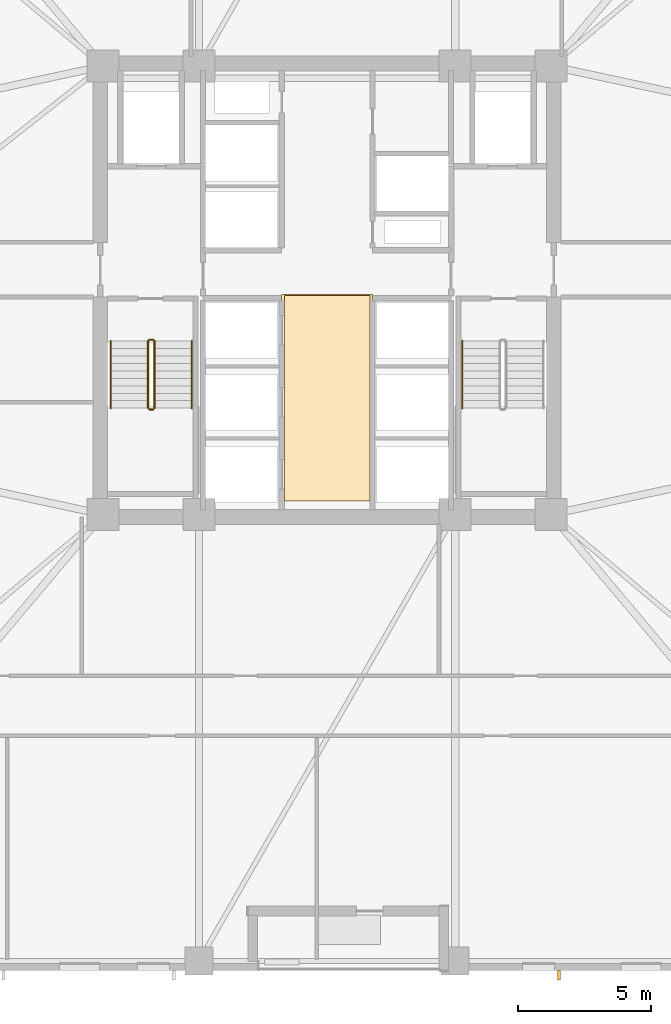
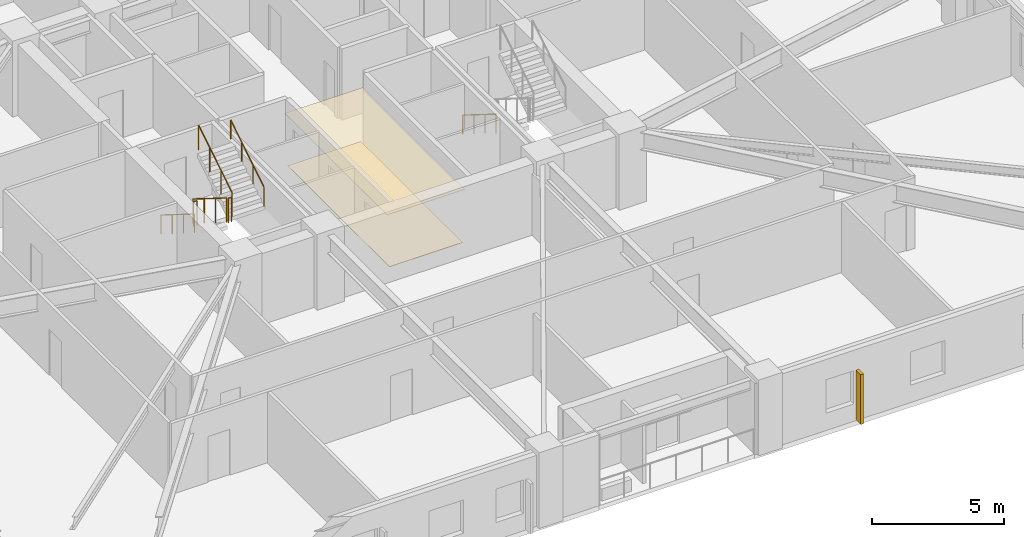
# One storey, part 8 of 11: 7 railings, 2 coverings, 1 shading device.
"""IFC4 building model written with IfcOpenShell, lengths in metres."""

from ifc_helpers import new_model, si_unit, direction, frame, origin, origin_2d, place, context, subcontext, project, spatial, polyline, rectangle, circle, outline, extrude, material, layer, layer_set, type_object, element, save


model = new_model("IFC4")

# Units and contexts
model_context = context("Model", 3, precision=1e-05, world=origin(), true_north=direction((0.0, 1.0)))
body_context = subcontext(model_context, "Body", "Model", "MODEL_VIEW")
ifc_project = project(units=[si_unit("LENGTHUNIT", "METRE"), si_unit("AREAUNIT", "SQUARE_METRE"), si_unit("VOLUMEUNIT", "CUBIC_METRE"), si_unit("PLANEANGLEUNIT", "RADIAN"), si_unit("MASSUNIT", "GRAM", prefix="KILO")], contexts=[model_context])

# Site, building, storey
site_placement = place(None, origin())
site = spatial("IfcSite", under=ifc_project, at=site_placement, CompositionType="ELEMENT")
building_placement = place(site_placement, origin())
building = spatial("IfcBuilding", under=site, at=building_placement, Name="Cairnveth Concourse Tower", CompositionType="ELEMENT")
storey_placement = place(building_placement, frame((0.0, 0.0, 41.0)))
storey = spatial("IfcBuildingStorey", under=building, at=storey_placement, Name="L10", CompositionType="ELEMENT", Elevation=41.0)

# Covering
ifc_material_1 = material(Name="Acoustic Mineral Fibre Ceiling", Category="gypsum")
ifc_layer_1 = layer(ifc_material_1, 0.02490234375)
ifc_layer_set_1 = layer_set([ifc_layer_1], Name="Acoustic Mineral Fibre Ceiling")
covering_type_1 = type_object("IfcCoveringType", Name="ACOUSTIC MINERAL FIBRE CEILING 25", PredefinedType="CEILING", material=ifc_layer_set_1)
covering_1_placement = place(storey_placement, frame((0.0, 0.0, 2.424072265625)))
element("IfcCovering", 1, at=covering_1_placement, inside=storey, type_object=covering_type_1, Name="Lift Lobby Acoustic Ceiling L10", PredefinedType="CEILING", context=body_context, shape_type="SweptSolid", body=[
    extrude(outline(polyline([(50.300048828125, 31.10009765625), (53.699951171875, 31.10009765625), (53.699951171875, 38.85009765625), (50.300048828125, 38.85009765625), (50.300048828125, 31.10009765625)])), origin(), (0.0, 0.0, 1.0), 0.02490234375),
])

# Shading device
ifc_material_2 = material(Name="Architectural Bronze Anodised Aluminium 6063-T6", Category="aluminium")
shading_device_type = type_object("IfcShadingDeviceType", Name="GOTHIC BRONZE VERTICAL LANCET FIN", PredefinedType="USERDEFINED", material=ifc_material_2)
shading_device_placement = place(storey_placement, frame((60.691650390625, 13.324951171875, 0.02978515625), z_axis=(0.0, 0.0, 1.0), x_axis=(1.0, 0.0, 0.0)))
element("IfcShadingDevice", 2, at=shading_device_placement, inside=storey, type_object=shading_device_type, Name="Gothic Bronze Vertical Fin L10-12-3", ObjectType="VERTICAL FIN", PredefinedType="USERDEFINED", context=body_context, shape_type="SweptSolid", body=[
    extrude(rectangle(XDim=0.1201171875, YDim=0.360107421875, at=origin_2d()), origin(), (0.0, 0.0, 1.0), 2.303955078125),
])

# Railings
ifc_material_3 = material(Name="Steel Grade 350", Category="steel")
railing_type_1 = type_object("IfcRailingType", Name="STAIR GUARDRAIL 1150", PredefinedType="GUARDRAIL", material=ifc_material_3)
railing_1_placement = place(storey_placement, frame((45.2900390625, 37.10009765625, 0.175048828125)))
element("IfcRailing", 3, at=railing_1_placement, inside=storey, type_object=railing_type_1, Name="L10 ST-1 stair guard 1", PredefinedType="GUARDRAIL", context=body_context, shape_type="SweptSolid", body=[
    extrude(circle(Radius=0.02392578125, at=origin_2d()), frame((0.0, 0.0, 1.1259765625), z_axis=(0.0, -0.848007534815, 0.529984170421), x_axis=(1.0, 0.0, 0.0)), (0.0, 0.0, 1.0), 2.9716796875),
    extrude(circle(Radius=0.02099609375, at=origin_2d()), origin(), (0.0, 0.0, 1.0), 1.101806640625),
    extrude(circle(Radius=0.02099609375, at=origin_2d()), frame((0.0, -0.840087890625, 0.52490234375)), (0.0, 0.0, 1.0), 1.101806640625),
    extrude(circle(Radius=0.02099609375, at=origin_2d()), frame((0.0, -1.679931640625, 1.050048828125)), (0.0, 0.0, 1.0), 1.101806640625),
    extrude(circle(Radius=0.02099609375, at=origin_2d()), frame((0.0, -2.52001953125, 1.574951171875)), (0.0, 0.0, 1.0), 1.101806640625),
])
railing_2_placement = place(storey_placement, frame((45.340087890625, 34.530029296875, 1.75)))
element("IfcRailing", 4, at=railing_2_placement, inside=storey, type_object=railing_type_1, Name="L10 ST-1 stair guard 2", PredefinedType="GUARDRAIL", context=body_context, shape_type="SweptSolid", body=[
    extrude(circle(Radius=0.02392578125, at=origin_2d()), frame((0.0, 0.0, 1.1259765625), z_axis=(1.0, 0.0, 0.0), x_axis=(0.0, 1.0, 0.0)), (0.0, 0.0, 1.0), 0.139892578125),
    extrude(circle(Radius=0.02099609375, at=origin_2d()), origin(), (0.0, 0.0, 1.0), 1.101806640625),
    extrude(circle(Radius=0.02099609375, at=origin_2d()), frame((0.139892578125, 0.0, 0.0)), (0.0, 0.0, 1.0), 1.101806640625),
])
railing_3_placement = place(storey_placement, frame((45.530029296875, 34.580078125, 1.925048828125)))
element("IfcRailing", 5, at=railing_3_placement, inside=storey, type_object=railing_type_1, Name="L10 ST-1 stair guard 3", PredefinedType="GUARDRAIL", context=body_context, shape_type="SweptSolid", body=[
    extrude(circle(Radius=0.02392578125, at=origin_2d()), frame((0.0, 0.0, 1.1259765625), z_axis=(0.0, 0.848007534815, 0.529984170421), x_axis=(-1.0, 0.0, 0.0)), (0.0, 0.0, 1.0), 2.9716796875),
    extrude(circle(Radius=0.02099609375, at=origin_2d()), origin(), (0.0, 0.0, 1.0), 1.101806640625),
    extrude(circle(Radius=0.02099609375, at=origin_2d()), frame((0.0, 0.840087890625, 0.52490234375)), (0.0, 0.0, 1.0), 1.101806640625),
    extrude(circle(Radius=0.02099609375, at=origin_2d()), frame((0.0, 1.679931640625, 1.050048828125)), (0.0, 0.0, 1.0), 1.101806640625),
    extrude(circle(Radius=0.02099609375, at=origin_2d()), frame((0.0, 2.52001953125, 1.574951171875)), (0.0, 0.0, 1.0), 1.101806640625),
])
railing_4_placement = place(storey_placement, frame((45.340087890625, 37.14990234375, 0.0)))
element("IfcRailing", 6, at=railing_4_placement, inside=storey, type_object=railing_type_1, Name="L10 ST-1 stair guard 4", PredefinedType="GUARDRAIL", context=body_context, shape_type="SweptSolid", body=[
    extrude(circle(Radius=0.02392578125, at=origin_2d()), frame((0.0, 0.0, 1.1259765625), z_axis=(1.0, 0.0, 0.0), x_axis=(0.0, 1.0, 0.0)), (0.0, 0.0, 1.0), 0.139892578125),
    extrude(circle(Radius=0.02099609375, at=origin_2d()), origin(), (0.0, 0.0, 1.0), 1.101806640625),
    extrude(circle(Radius=0.02099609375, at=origin_2d()), frame((0.139892578125, 0.0, 0.0)), (0.0, 0.0, 1.0), 1.101806640625),
])
railing_type_2 = type_object("IfcRailingType", Name="STAIR WALL HANDRAIL 900", PredefinedType="HANDRAIL", material=ifc_material_3)
railing_5_placement = place(storey_placement, frame((43.889892578125, 37.10009765625, 0.175048828125)))
element("IfcRailing", 7, at=railing_5_placement, inside=storey, type_object=railing_type_2, Name="L10 ST-1 stair handrail 1", PredefinedType="HANDRAIL", context=body_context, shape_type="SweptSolid", body=[
    extrude(circle(Radius=0.02392578125, at=origin_2d()), frame((0.0, 0.0, 0.8759765625), z_axis=(0.0, -0.848007534815, 0.529984170421), x_axis=(1.0, 0.0, 0.0)), (0.0, 0.0, 1.0), 2.9716796875),
    extrude(circle(Radius=0.02099609375, at=origin_2d()), origin(), (0.0, 0.0, 1.0), 0.851806640625),
    extrude(circle(Radius=0.02099609375, at=origin_2d()), frame((0.0, -0.840087890625, 0.52490234375)), (0.0, 0.0, 1.0), 0.851806640625),
    extrude(circle(Radius=0.02099609375, at=origin_2d()), frame((0.0, -1.679931640625, 1.050048828125)), (0.0, 0.0, 1.0), 0.851806640625),
    extrude(circle(Radius=0.02099609375, at=origin_2d()), frame((0.0, -2.52001953125, 1.574951171875)), (0.0, 0.0, 1.0), 0.851806640625),
])
railing_6_placement = place(storey_placement, frame((46.929931640625, 34.580078125, 1.925048828125)))
element("IfcRailing", 8, at=railing_6_placement, inside=storey, type_object=railing_type_2, Name="L10 ST-1 stair handrail 2", PredefinedType="HANDRAIL", context=body_context, shape_type="SweptSolid", body=[
    extrude(circle(Radius=0.02392578125, at=origin_2d()), frame((0.0, 0.0, 0.8759765625), z_axis=(0.0, 0.848007534815, 0.529984170421), x_axis=(-1.0, 0.0, 0.0)), (0.0, 0.0, 1.0), 2.9716796875),
    extrude(circle(Radius=0.02099609375, at=origin_2d()), origin(), (0.0, 0.0, 1.0), 0.851806640625),
    extrude(circle(Radius=0.02099609375, at=origin_2d()), frame((0.0, 0.840087890625, 0.52490234375)), (0.0, 0.0, 1.0), 0.851806640625),
    extrude(circle(Radius=0.02099609375, at=origin_2d()), frame((0.0, 1.679931640625, 1.050048828125)), (0.0, 0.0, 1.0), 0.851806640625),
    extrude(circle(Radius=0.02099609375, at=origin_2d()), frame((0.0, 2.52001953125, 1.574951171875)), (0.0, 0.0, 1.0), 0.851806640625),
])
railing_7_placement = place(storey_placement, frame((57.070068359375, 37.10009765625, 0.175048828125)))
element("IfcRailing", 9, at=railing_7_placement, inside=storey, type_object=railing_type_2, Name="L10 ST-2 stair handrail 1", PredefinedType="HANDRAIL", context=body_context, shape_type="SweptSolid", body=[
    extrude(circle(Radius=0.02392578125, at=origin_2d()), frame((0.0, 0.0, 0.8759765625), z_axis=(0.0, -0.848007534815, 0.529984170421), x_axis=(1.0, 0.0, 0.0)), (0.0, 0.0, 1.0), 2.9716796875),
    extrude(circle(Radius=0.02099609375, at=origin_2d()), origin(), (0.0, 0.0, 1.0), 0.851806640625),
    extrude(circle(Radius=0.02099609375, at=origin_2d()), frame((0.0, -0.840087890625, 0.52490234375)), (0.0, 0.0, 1.0), 0.851806640625),
    extrude(circle(Radius=0.02099609375, at=origin_2d()), frame((0.0, -1.679931640625, 1.050048828125)), (0.0, 0.0, 1.0), 0.851806640625),
    extrude(circle(Radius=0.02099609375, at=origin_2d()), frame((0.0, -2.52001953125, 1.574951171875)), (0.0, 0.0, 1.0), 0.851806640625),
])

# Covering
ifc_material_4 = material(Name="Vitrified Stoneware Tile Flooring", Category="masonry")
ifc_layer_2 = layer(ifc_material_4, 0.02001953125)
ifc_layer_set_2 = layer_set([ifc_layer_2], Name="Vitrified Stoneware Tile Flooring")
covering_type_2 = type_object("IfcCoveringType", Name="VITRIFIED STONEWARE LOBBY FLOORING 20", PredefinedType="FLOORING", material=ifc_layer_set_2)
covering_2_placement = place(storey_placement, origin())
element("IfcCovering", 10, at=covering_2_placement, inside=storey, type_object=covering_type_2, Name="Lift Lobby Stoneware Flooring L10", PredefinedType="FLOORING", context=body_context, shape_type="SweptSolid", body=[
    extrude(outline(polyline([(50.39990234375, 31.10009765625), (53.60009765625, 31.10009765625), (53.60009765625, 38.800048828125), (50.39990234375, 38.800048828125), (50.39990234375, 31.10009765625)])), origin(), (0.0, 0.0, 1.0), 0.02001953125),
])

save(model, "model.ifc")
